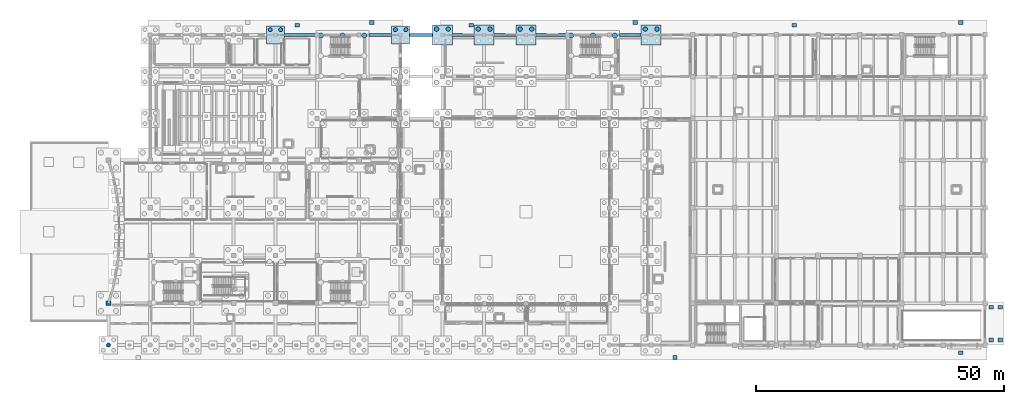
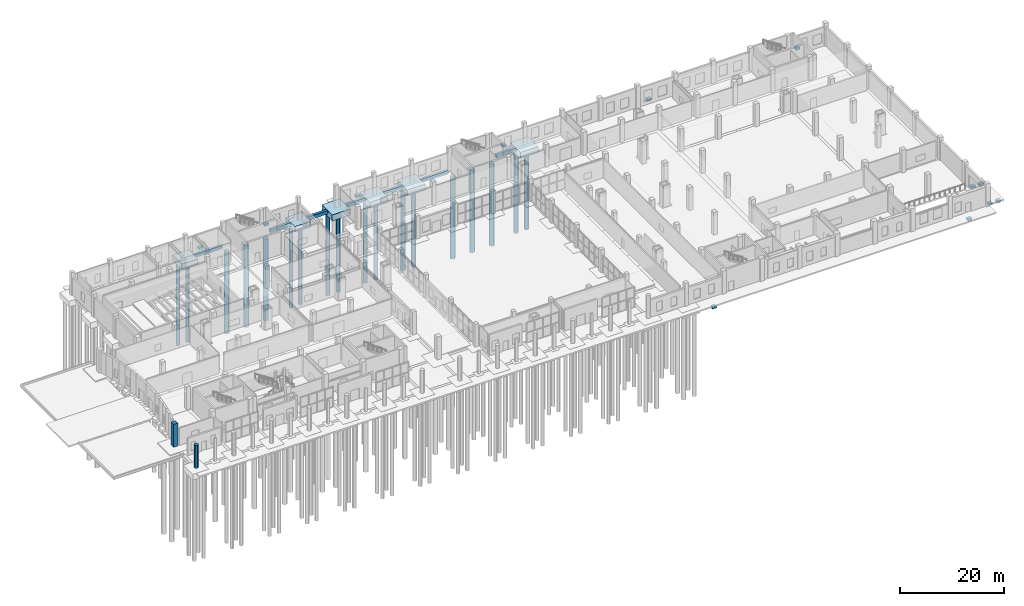
# One storey, part 7 of 65: 25 footings, 18 piles, 2 columns.
"""IFC4 building model written with IfcOpenShell, lengths in metres."""

from ifc_helpers import new_model, si_unit, direction, frame, origin, origin_2d, place, context, subcontext, project, spatial, polyline, rectangle, circle, outline, extrude, material, layer, layer_set, material_profile, profile_set, type_object, element, save


model = new_model("IFC4")

# Units and contexts
model_context = context("Model", 3, precision=1e-05, world=origin(), true_north=direction((0.0, 1.0)))
body_context = subcontext(model_context, "Body", "Model", "MODEL_VIEW")
ifc_project = project(units=[si_unit("LENGTHUNIT", "METRE"), si_unit("AREAUNIT", "SQUARE_METRE"), si_unit("VOLUMEUNIT", "CUBIC_METRE"), si_unit("PLANEANGLEUNIT", "RADIAN"), si_unit("MASSUNIT", "GRAM", prefix="KILO")], contexts=[model_context])

# Site, building, storey
site_placement = place(None, origin())
site = spatial("IfcSite", under=ifc_project, at=site_placement, CompositionType="ELEMENT")
building_placement = place(site_placement, origin())
building = spatial("IfcBuilding", under=site, at=building_placement, Name="Zulmaris Art Gallery", CompositionType="ELEMENT")
storey_placement = place(building_placement, origin())
storey = spatial("IfcBuildingStorey", under=building, at=storey_placement, Name="L00", CompositionType="ELEMENT", Elevation=0.0)

# Footings
ifc_material_1 = material(Name="Concrete C40/50", Category="concrete")
ifc_layer_1 = layer(ifc_material_1, 0.800048828125)
ifc_layer_set_1 = layer_set([ifc_layer_1], Name="Concrete C40/50")
footing_type_1 = type_object("IfcFootingType", Name="FTG-GB01", PredefinedType="FOOTING_BEAM", material=ifc_layer_set_1)
footing_1_placement = place(storey_placement, frame((0.0, 0.0, -0.800048828125)))
element("IfcFooting", 1, at=footing_1_placement, inside=storey, type_object=footing_type_1, Name="L00 ground tie beam X", PredefinedType="FOOTING_BEAM", context=body_context, shape_type="SweptSolid", body=[
    extrude(outline(polyline([(59.39990234375, 75.300048828125), (65.75, 75.300048828125), (65.75, 75.89990234375), (59.39990234375, 75.89990234375), (59.39990234375, 75.300048828125)])), origin(), (0.0, 0.0, 1.0), 0.800048828125),
])
footing_2_placement = place(storey_placement, frame((0.0, 0.0, -0.800048828125)))
element("IfcFooting", 2, at=footing_2_placement, inside=storey, type_object=footing_type_1, Name="L00 ground tie beam X", PredefinedType="FOOTING_BEAM", context=body_context, shape_type="SweptSolid", body=[
    extrude(outline(polyline([(76.449951171875, 75.300048828125), (81.0, 75.300048828125), (81.0, 75.89990234375), (76.449951171875, 75.89990234375), (76.449951171875, 75.300048828125)])), origin(), (0.0, 0.0, 1.0), 0.800048828125),
])
footing_3_placement = place(storey_placement, frame((0.0, 0.0, -0.800048828125)))
element("IfcFooting", 3, at=footing_3_placement, inside=storey, type_object=footing_type_1, Name="L00 ground tie beam X", PredefinedType="FOOTING_BEAM", context=body_context, shape_type="SweptSolid", body=[
    extrude(outline(polyline([(84.60009765625, 75.300048828125), (89.199951171875, 75.300048828125), (89.199951171875, 75.89990234375), (84.60009765625, 75.89990234375), (84.60009765625, 75.300048828125)])), origin(), (0.0, 0.0, 1.0), 0.800048828125),
])
footing_4_placement = place(storey_placement, frame((0.0, 0.0, -0.800048828125)))
element("IfcFooting", 4, at=footing_4_placement, inside=storey, type_object=footing_type_1, Name="L00 ground tie beam X", PredefinedType="FOOTING_BEAM", context=body_context, shape_type="SweptSolid", body=[
    extrude(outline(polyline([(93.199951171875, 75.300048828125), (97.60009765625, 75.300048828125), (97.60009765625, 75.89990234375), (93.199951171875, 75.89990234375), (93.199951171875, 75.300048828125)])), origin(), (0.0, 0.0, 1.0), 0.800048828125),
])
footing_5_placement = place(storey_placement, frame((0.0, 0.0, -0.800048828125)))
element("IfcFooting", 5, at=footing_5_placement, inside=storey, type_object=footing_type_1, Name="L00 ground tie beam X", PredefinedType="FOOTING_BEAM", context=body_context, shape_type="SweptSolid", body=[
    extrude(outline(polyline([(101.60009765625, 75.300048828125), (106.0, 75.300048828125), (106.0, 75.89990234375), (101.60009765625, 75.89990234375), (101.60009765625, 75.300048828125)])), origin(), (0.0, 0.0, 1.0), 0.800048828125),
])
footing_6_placement = place(storey_placement, frame((0.0, 0.0, -0.800048828125)))
element("IfcFooting", 6, at=footing_6_placement, inside=storey, type_object=footing_type_1, Name="L00 ground tie beam X", PredefinedType="FOOTING_BEAM", context=body_context, shape_type="SweptSolid", body=[
    extrude(outline(polyline([(110.0, 75.300048828125), (116.14990234375, 75.300048828125), (116.14990234375, 75.89990234375), (110.0, 75.89990234375), (110.0, 75.300048828125)])), origin(), (0.0, 0.0, 1.0), 0.800048828125),
])
footing_7_placement = place(storey_placement, frame((0.0, 0.0, -0.800048828125)))
element("IfcFooting", 7, at=footing_7_placement, inside=storey, type_object=footing_type_1, Name="L00 ground tie beam X", PredefinedType="FOOTING_BEAM", context=body_context, shape_type="SweptSolid", body=[
    extrude(outline(polyline([(126.85009765625, 75.300048828125), (131.199951171875, 75.300048828125), (131.199951171875, 75.89990234375), (126.85009765625, 75.89990234375), (126.85009765625, 75.300048828125)])), origin(), (0.0, 0.0, 1.0), 0.800048828125),
])
ifc_layer_2 = layer(ifc_material_1, 0.699951171875)
ifc_layer_set_2 = layer_set([ifc_layer_2], Name="Concrete C40/50")
footing_type_2 = type_object("IfcFootingType", Name="FTG-PAD01", PredefinedType="PAD_FOOTING", material=ifc_layer_set_2)
footing_8_placement = place(storey_placement, frame((0.0, 0.0, -0.800048828125)))
element("IfcFooting", 8, at=footing_8_placement, inside=storey, type_object=footing_type_2, Name="Exterior apron APR-SOUTH grade pad 3", PredefinedType="PAD_FOOTING", context=body_context, shape_type="SweptSolid", body=[
    extrude(outline(polyline([(137.550048828125, 10.320068359375), (138.449951171875, 10.320068359375), (138.449951171875, 11.080078125), (137.550048828125, 11.080078125), (137.550048828125, 10.320068359375)])), origin(), (0.0, 0.0, 1.0), 0.5),
])
footing_9_placement = place(storey_placement, frame((0.0, 0.0, -0.800048828125)))
element("IfcFooting", 9, at=footing_9_placement, inside=storey, type_object=footing_type_2, Name="Exterior apron APR-SOUTH grade pad 4", PredefinedType="PAD_FOOTING", context=body_context, shape_type="SweptSolid", body=[
    extrude(outline(polyline([(195.050048828125, 11.27001953125), (195.949951171875, 11.27001953125), (195.949951171875, 12.030029296875), (195.050048828125, 12.030029296875), (195.050048828125, 11.27001953125)])), origin(), (0.0, 0.0, 1.0), 0.5),
])
footing_10_placement = place(storey_placement, frame((0.0, 0.0, -0.800048828125)))
element("IfcFooting", 10, at=footing_10_placement, inside=storey, type_object=footing_type_2, Name="Exterior apron APR-EAST-RAMP grade pad 1", PredefinedType="PAD_FOOTING", context=body_context, shape_type="SweptSolid", body=[
    extrude(outline(polyline([(201.14990234375, 13.820068359375), (202.050048828125, 13.820068359375), (202.050048828125, 14.580078125), (201.14990234375, 14.580078125), (201.14990234375, 13.820068359375)])), origin(), (0.0, 0.0, 1.0), 0.5),
])
footing_11_placement = place(storey_placement, frame((0.0, 0.0, -0.800048828125)))
element("IfcFooting", 11, at=footing_11_placement, inside=storey, type_object=footing_type_2, Name="Exterior apron APR-EAST-RAMP grade pad 2", PredefinedType="PAD_FOOTING", context=body_context, shape_type="SweptSolid", body=[
    extrude(outline(polyline([(202.949951171875, 13.820068359375), (203.85009765625, 13.820068359375), (203.85009765625, 14.580078125), (202.949951171875, 14.580078125), (202.949951171875, 13.820068359375)])), origin(), (0.0, 0.0, 1.0), 0.5),
])
footing_12_placement = place(storey_placement, frame((0.0, 0.0, -0.800048828125)))
element("IfcFooting", 12, at=footing_12_placement, inside=storey, type_object=footing_type_2, Name="Exterior apron APR-EAST-RAMP grade pad 3", PredefinedType="PAD_FOOTING", context=body_context, shape_type="SweptSolid", body=[
    extrude(outline(polyline([(201.14990234375, 20.419921875), (202.050048828125, 20.419921875), (202.050048828125, 21.179931640625), (201.14990234375, 21.179931640625), (201.14990234375, 20.419921875)])), origin(), (0.0, 0.0, 1.0), 0.5),
])
footing_13_placement = place(storey_placement, frame((0.0, 0.0, -0.800048828125)))
element("IfcFooting", 13, at=footing_13_placement, inside=storey, type_object=footing_type_2, Name="Exterior apron APR-EAST-RAMP grade pad 4", PredefinedType="PAD_FOOTING", context=body_context, shape_type="SweptSolid", body=[
    extrude(outline(polyline([(202.949951171875, 20.419921875), (203.85009765625, 20.419921875), (203.85009765625, 21.179931640625), (202.949951171875, 21.179931640625), (202.949951171875, 20.419921875)])), origin(), (0.0, 0.0, 1.0), 0.5),
])
footing_14_placement = place(storey_placement, frame((0.0, 0.0, -0.800048828125)))
element("IfcFooting", 14, at=footing_14_placement, inside=storey, type_object=footing_type_2, Name="Exterior apron APR-NORTH-V3 grade pad 3", PredefinedType="PAD_FOOTING", context=body_context, shape_type="SweptSolid", body=[
    extrude(outline(polyline([(61.550048828125, 77.169921875), (62.449951171875, 77.169921875), (62.449951171875, 77.929931640625), (61.550048828125, 77.929931640625), (61.550048828125, 77.169921875)])), origin(), (0.0, 0.0, 1.0), 0.5),
])
footing_15_placement = place(storey_placement, frame((0.0, 0.0, -0.800048828125)))
element("IfcFooting", 15, at=footing_15_placement, inside=storey, type_object=footing_type_2, Name="Exterior apron APR-NORTH-V3 grade pad 4", PredefinedType="PAD_FOOTING", context=body_context, shape_type="SweptSolid", body=[
    extrude(outline(polyline([(76.550048828125, 77.719970703125), (77.449951171875, 77.719970703125), (77.449951171875, 78.47998046875), (76.550048828125, 78.47998046875), (76.550048828125, 77.719970703125)])), origin(), (0.0, 0.0, 1.0), 0.5),
])
footing_16_placement = place(storey_placement, frame((0.0, 0.0, -0.800048828125)))
element("IfcFooting", 16, at=footing_16_placement, inside=storey, type_object=footing_type_2, Name="Exterior apron APR-NORTH-V45 grade pad 1", PredefinedType="PAD_FOOTING", context=body_context, shape_type="SweptSolid", body=[
    extrude(outline(polyline([(96.550048828125, 77.169921875), (97.449951171875, 77.169921875), (97.449951171875, 77.929931640625), (96.550048828125, 77.929931640625), (96.550048828125, 77.169921875)])), origin(), (0.0, 0.0, 1.0), 0.5),
])
footing_17_placement = place(storey_placement, frame((0.0, 0.0, -0.800048828125)))
element("IfcFooting", 17, at=footing_17_placement, inside=storey, type_object=footing_type_2, Name="Exterior apron APR-NORTH-V45 grade pad 2", PredefinedType="PAD_FOOTING", context=body_context, shape_type="SweptSolid", body=[
    extrude(outline(polyline([(129.550048828125, 77.719970703125), (130.449951171875, 77.719970703125), (130.449951171875, 78.47998046875), (129.550048828125, 78.47998046875), (129.550048828125, 77.719970703125)])), origin(), (0.0, 0.0, 1.0), 0.5),
])
footing_18_placement = place(storey_placement, frame((0.0, 0.0, -0.800048828125)))
element("IfcFooting", 18, at=footing_18_placement, inside=storey, type_object=footing_type_2, Name="Exterior apron APR-NORTH-V45 grade pad 3", PredefinedType="PAD_FOOTING", context=body_context, shape_type="SweptSolid", body=[
    extrude(outline(polyline([(161.550048828125, 77.169921875), (162.449951171875, 77.169921875), (162.449951171875, 77.929931640625), (161.550048828125, 77.929931640625), (161.550048828125, 77.169921875)])), origin(), (0.0, 0.0, 1.0), 0.5),
])
footing_19_placement = place(storey_placement, frame((0.0, 0.0, -0.800048828125)))
element("IfcFooting", 19, at=footing_19_placement, inside=storey, type_object=footing_type_2, Name="Exterior apron APR-NORTH-V45 grade pad 4", PredefinedType="PAD_FOOTING", context=body_context, shape_type="SweptSolid", body=[
    extrude(outline(polyline([(195.050048828125, 77.719970703125), (195.949951171875, 77.719970703125), (195.949951171875, 78.47998046875), (195.050048828125, 78.47998046875), (195.050048828125, 77.719970703125)])), origin(), (0.0, 0.0, 1.0), 0.5),
])
ifc_layer_3 = layer(ifc_material_1, 1.35009765625)
ifc_layer_set_3 = layer_set([ifc_layer_3], Name="Concrete C40/50")
footing_type_3 = type_object("IfcFootingType", Name="FTG-PC01", PredefinedType="PILE_CAP", material=ifc_layer_set_3)
footing_20_placement = place(storey_placement, frame((0.0, 0.0, -1.35009765625)))
element("IfcFooting", 20, at=footing_20_placement, inside=storey, type_object=footing_type_3, Name="L00 pile cap PC01 at (57.6, 75.6)", PredefinedType="PILE_CAP", context=body_context, shape_type="SweptSolid", body=[
    extrude(outline(polyline([(55.800048828125, 73.800048828125), (59.39990234375, 73.800048828125), (59.39990234375, 77.39990234375), (55.800048828125, 77.39990234375), (55.800048828125, 73.800048828125)])), origin(), (0.0, 0.0, 1.0), 1.35009765625),
])
footing_21_placement = place(storey_placement, frame((0.0, 0.0, -1.35009765625)))
element("IfcFooting", 21, at=footing_21_placement, inside=storey, type_object=footing_type_3, Name="L00 pile cap PC01 at (82.8, 75.6)", PredefinedType="PILE_CAP", context=body_context, shape_type="SweptSolid", body=[
    extrude(outline(polyline([(81.0, 73.800048828125), (84.60009765625, 73.800048828125), (84.60009765625, 77.39990234375), (81.0, 77.39990234375), (81.0, 73.800048828125)])), origin(), (0.0, 0.0, 1.0), 1.35009765625),
])
ifc_layer_4 = layer(ifc_material_1, 1.449951171875)
ifc_layer_set_4 = layer_set([ifc_layer_4], Name="Concrete C40/50")
footing_type_4 = type_object("IfcFootingType", Name="FTG-PC02", PredefinedType="PILE_CAP", material=ifc_layer_set_4)
footing_22_placement = place(storey_placement, frame((0.0, 0.0, -1.449951171875)))
element("IfcFooting", 22, at=footing_22_placement, inside=storey, type_object=footing_type_4, Name="L00 pile cap PC02 at (91.2, 75.6)", PredefinedType="PILE_CAP", context=body_context, shape_type="SweptSolid", body=[
    extrude(outline(polyline([(89.199951171875, 73.60009765625), (93.199951171875, 73.60009765625), (93.199951171875, 77.60009765625), (89.199951171875, 77.60009765625), (89.199951171875, 73.60009765625)])), origin(), (0.0, 0.0, 1.0), 1.449951171875),
])
footing_23_placement = place(storey_placement, frame((0.0, 0.0, -1.449951171875)))
element("IfcFooting", 23, at=footing_23_placement, inside=storey, type_object=footing_type_4, Name="L00 pile cap PC02 at (99.6, 75.6)", PredefinedType="PILE_CAP", context=body_context, shape_type="SweptSolid", body=[
    extrude(outline(polyline([(97.60009765625, 73.60009765625), (101.60009765625, 73.60009765625), (101.60009765625, 77.60009765625), (97.60009765625, 77.60009765625), (97.60009765625, 73.60009765625)])), origin(), (0.0, 0.0, 1.0), 1.449951171875),
])
footing_24_placement = place(storey_placement, frame((0.0, 0.0, -1.449951171875)))
element("IfcFooting", 24, at=footing_24_placement, inside=storey, type_object=footing_type_4, Name="L00 pile cap PC02 at (108.0, 75.6)", PredefinedType="PILE_CAP", context=body_context, shape_type="SweptSolid", body=[
    extrude(outline(polyline([(106.0, 73.60009765625), (110.0, 73.60009765625), (110.0, 77.60009765625), (106.0, 77.60009765625), (106.0, 73.60009765625)])), origin(), (0.0, 0.0, 1.0), 1.449951171875),
])
footing_25_placement = place(storey_placement, frame((0.0, 0.0, -1.449951171875)))
element("IfcFooting", 25, at=footing_25_placement, inside=storey, type_object=footing_type_4, Name="L00 pile cap PC02 at (133.2, 75.6)", PredefinedType="PILE_CAP", context=body_context, shape_type="SweptSolid", body=[
    extrude(outline(polyline([(131.199951171875, 73.60009765625), (135.199951171875, 73.60009765625), (135.199951171875, 77.60009765625), (131.199951171875, 77.60009765625), (131.199951171875, 73.60009765625)])), origin(), (0.0, 0.0, 1.0), 1.449951171875),
])

# Piles
ifc_material_profile_1 = material_profile(ifc_material_1, circle(Radius=0.52490234375, at=origin_2d()), Name="PILE DIA 1050")
ifc_profile_set_1 = profile_set([ifc_material_profile_1], Name="Concrete C40/50")
pile_type_1 = type_object("IfcPileType", Name="PILE-1050", PredefinedType="BORED", material=ifc_profile_set_1)
for number, where, z_axis, x_axis, name in (
    (26, (117.125, 75.47509765625, -1.64990234375), (0.0, 0.0, -1.0), (1.0, 0.0, 0.0), "Core C5 bored pile 3"),
    (27, (121.5, 75.47509765625, -1.64990234375), (0.0, 0.0, -1.0), (1.0, 0.0, 0.0), "Core C5 bored pile 6"),
    (28, (125.875, 75.47509765625, -1.64990234375), (0.0, 0.0, -1.0), (1.0, 0.0, 0.0), "Core C5 bored pile 9"),
):
    element("IfcPile", number, at=place(storey_placement, frame(where, z_axis=z_axis, x_axis=x_axis)), inside=storey, type_object=pile_type_1, Name=name, PredefinedType="BORED", context=body_context, shape_type="SweptSolid", body=[
        extrude(circle(Radius=0.52490234375, at=origin_2d()), origin(), (0.0, 0.0, 1.0), 19.35009765625),
    ])
for number, where, z_axis, x_axis, name in (
    (29, (66.72509765625, 75.47509765625, -1.68994140625), (0.0, 0.0, -1.0), (1.0, 0.0, 0.0), "Core C6 bored pile 3"),
    (30, (71.10009765625, 75.47509765625, -1.68994140625), (0.0, 0.0, -1.0), (1.0, 0.0, 0.0), "Core C6 bored pile 6"),
    (31, (75.47509765625, 75.47509765625, -1.68994140625), (0.0, 0.0, -1.0), (1.0, 0.0, 0.0), "Core C6 bored pile 9"),
):
    element("IfcPile", number, at=place(storey_placement, frame(where, z_axis=z_axis, x_axis=x_axis)), inside=storey, type_object=pile_type_1, Name=name, PredefinedType="BORED", context=body_context, shape_type="SweptSolid", body=[
        extrude(circle(Radius=0.52490234375, at=origin_2d()), origin(), (0.0, 0.0, 1.0), 19.31005859375),
    ])
ifc_material_profile_2 = material_profile(ifc_material_1, circle(Radius=0.39990234375, at=origin_2d()), Name="PILE DIA 800")
ifc_profile_set_2 = profile_set([ifc_material_profile_2], Name="Concrete C40/50")
pile_type_2 = type_object("IfcPileType", Name="PILE-800", PredefinedType="BORED", material=ifc_profile_set_2)
for number, where, z_axis, x_axis, name in (
    (32, (56.550048828125, 76.64990234375, -1.25), (0.0, 0.0, -1.0), (1.0, 0.0, 0.0), "L00 bored pile 3 under FTG-CAP-L00-0576-756"),
    (33, (58.64990234375, 76.64990234375, -1.25), (0.0, 0.0, -1.0), (1.0, 0.0, 0.0), "L00 bored pile 4 under FTG-CAP-L00-0576-756"),
    (34, (81.75, 76.64990234375, -1.25), (0.0, 0.0, -1.0), (1.0, 0.0, 0.0), "L00 bored pile 3 under FTG-CAP-L00-0828-756"),
    (35, (83.85009765625, 76.64990234375, -1.25), (0.0, 0.0, -1.0), (1.0, 0.0, 0.0), "L00 bored pile 4 under FTG-CAP-L00-0828-756"),
):
    element("IfcPile", number, at=place(storey_placement, frame(where, z_axis=z_axis, x_axis=x_axis)), inside=storey, type_object=pile_type_2, Name=name, PredefinedType="BORED", context=body_context, shape_type="SweptSolid", body=[
        extrude(circle(Radius=0.39990234375, at=origin_2d()), origin(), (0.0, 0.0, 1.0), 19.75),
    ])
ifc_material_profile_3 = material_profile(ifc_material_1, circle(Radius=0.449951171875, at=origin_2d()), Name="PILE DIA 900")
ifc_profile_set_3 = profile_set([ifc_material_profile_3], Name="Concrete C40/50")
pile_type_3 = type_object("IfcPileType", Name="PILE-900", PredefinedType="BORED", material=ifc_profile_set_3)
for number, where, z_axis, x_axis, name in (
    (36, (90.02001953125, 76.780029296875, -1.35009765625), (0.0, 0.0, -1.0), (1.0, 0.0, 0.0), "L00 bored pile 3 under FTG-CAP-L00-0912-756"),
    (37, (92.3798828125, 76.780029296875, -1.35009765625), (0.0, 0.0, -1.0), (1.0, 0.0, 0.0), "L00 bored pile 4 under FTG-CAP-L00-0912-756"),
    (38, (98.419921875, 76.780029296875, -1.35009765625), (0.0, 0.0, -1.0), (1.0, 0.0, 0.0), "L00 bored pile 3 under FTG-CAP-L00-0996-756"),
    (39, (100.780029296875, 76.780029296875, -1.35009765625), (0.0, 0.0, -1.0), (1.0, 0.0, 0.0), "L00 bored pile 4 under FTG-CAP-L00-0996-756"),
    (40, (106.820068359375, 76.780029296875, -1.35009765625), (0.0, 0.0, -1.0), (1.0, 0.0, 0.0), "L00 bored pile 3 under FTG-CAP-L00-1080-756"),
    (41, (109.179931640625, 76.780029296875, -1.35009765625), (0.0, 0.0, -1.0), (1.0, 0.0, 0.0), "L00 bored pile 4 under FTG-CAP-L00-1080-756"),
    (42, (132.02001953125, 76.780029296875, -1.35009765625), (0.0, 0.0, -1.0), (1.0, 0.0, 0.0), "L00 bored pile 3 under FTG-CAP-L00-1332-756"),
    (43, (134.3798828125, 76.780029296875, -1.35009765625), (0.0, 0.0, -1.0), (1.0, 0.0, 0.0), "L00 bored pile 4 under FTG-CAP-L00-1332-756"),
):
    element("IfcPile", number, at=place(storey_placement, frame(where, z_axis=z_axis, x_axis=x_axis)), inside=storey, type_object=pile_type_3, Name=name, PredefinedType="BORED", context=body_context, shape_type="SweptSolid", body=[
        extrude(circle(Radius=0.449951171875, at=origin_2d()), origin(), (0.0, 0.0, 1.0), 19.64990234375),
    ])

# Columns
ifc_material_2 = material(Name="Concrete C50/60", Category="concrete")
ifc_material_profile_4 = material_profile(ifc_material_2, circle(Radius=0.425048828125, at=origin_2d()), Name="COL DIA 850")
ifc_profile_set_4 = profile_set([ifc_material_profile_4], Name="Concrete C50/60")
column_type_1 = type_object("IfcColumnType", Name="COL-COL-DIA-850", PredefinedType="COLUMN", material=ifc_profile_set_4)
column_1_placement = place(storey_placement, frame((24.0, 13.199951171875, 0.0), z_axis=(0.0, 0.0, 1.0), x_axis=(1.0, 0.0, 0.0)))
element("IfcColumn", 44, at=column_1_placement, inside=storey, type_object=column_type_1, Name="L00 structural column (24.0, 13.2)", PredefinedType="COLUMN", context=body_context, shape_type="SweptSolid", body=[
    extrude(circle(Radius=0.425048828125, at=origin_2d()), origin(), (0.0, 0.0, 1.0), 5.39990234375),
])
ifc_material_profile_5 = material_profile(ifc_material_2, rectangle(XDim=0.949951171875, YDim=0.949951171875, at=origin_2d()), Name="RC 950x950")
ifc_profile_set_5 = profile_set([ifc_material_profile_5], Name="Concrete C50/60")
column_type_2 = type_object("IfcColumnType", Name="COL-RC-950x950", PredefinedType="COLUMN", material=ifc_profile_set_5)
column_2_placement = place(storey_placement, frame((24.0, 21.60009765625, 0.0), z_axis=(0.0, 0.0, 1.0), x_axis=(1.0, 0.0, 0.0)))
element("IfcColumn", 45, at=column_2_placement, inside=storey, type_object=column_type_2, Name="L00 structural column (24.0, 21.6)", PredefinedType="COLUMN", context=body_context, shape_type="SweptSolid", body=[
    extrude(rectangle(XDim=0.949951171875, YDim=0.949951171875, at=origin_2d()), origin(), (0.0, 0.0, 1.0), 5.39990234375),
])

save(model, "model.ifc")
